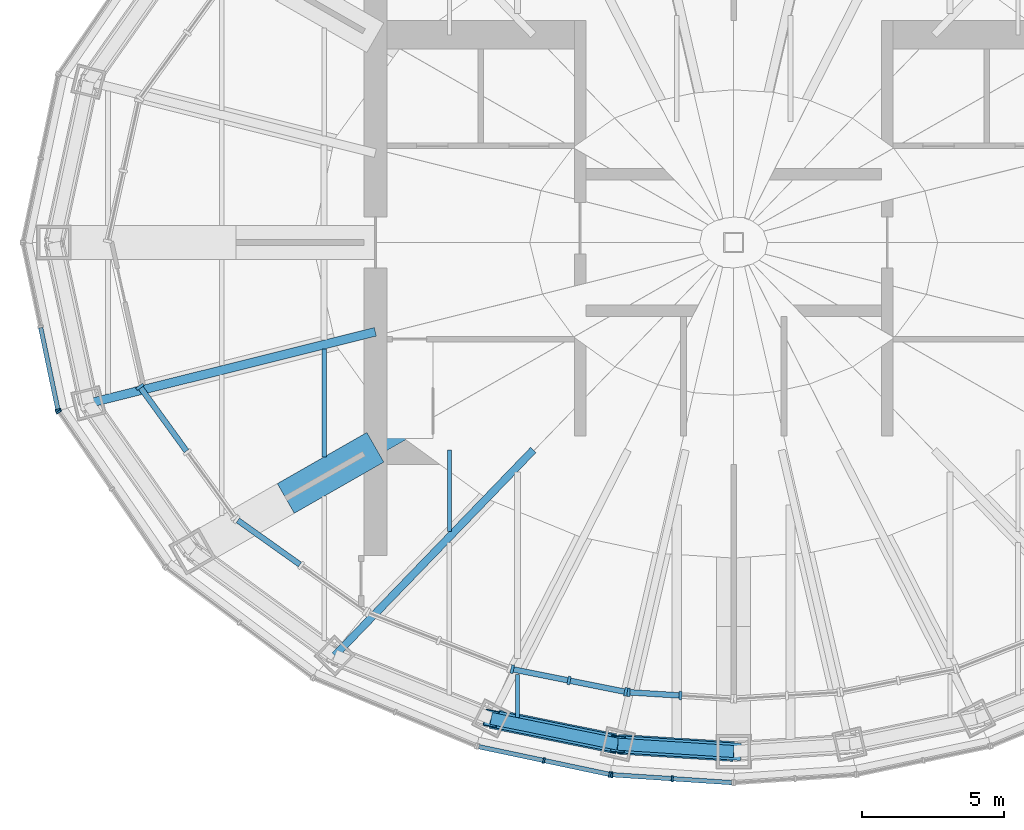
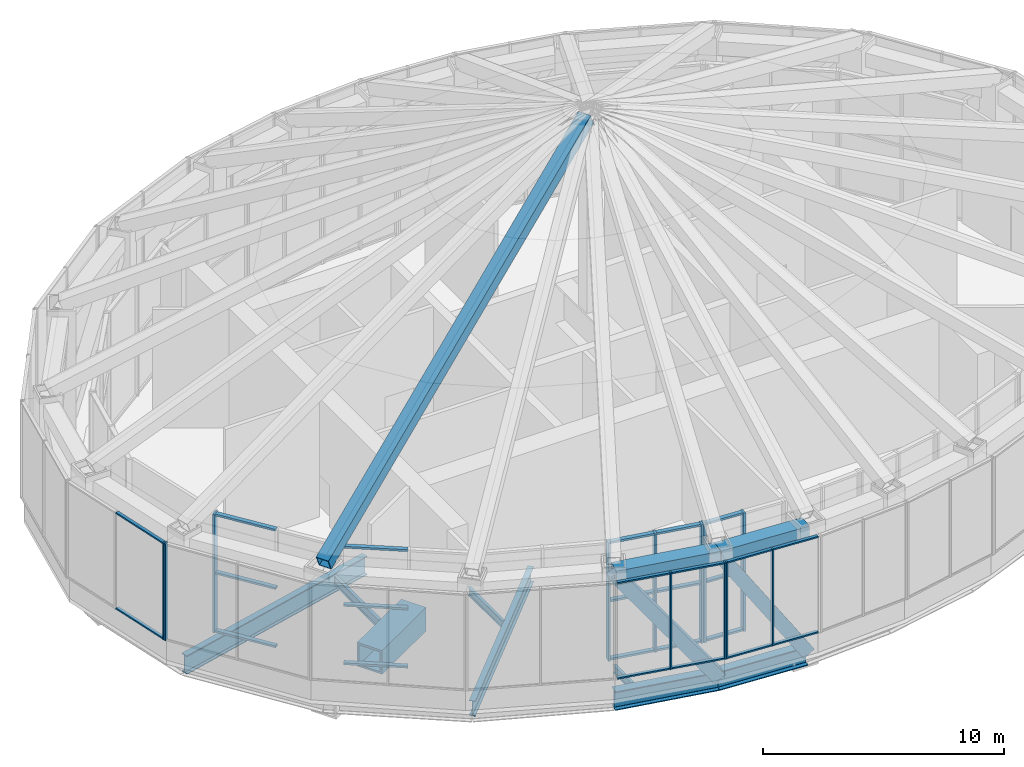
# One storey, part 3 of 21: 40 members, 10 beams, 8 elements without a shape of their own.
"""IFC4 building model written with IfcOpenShell, lengths in metres."""

from ifc_helpers import new_model, si_unit, direction, frame, origin, origin_2d, place, context, subcontext, project, spatial, rectangle, hollow_rectangle, i_section, extrude, material, material_profile, profile_set, type_object, element, aggregate, save


model = new_model("IFC4")

# Units and contexts
model_context = context("Model", 3, precision=1e-05, world=origin(), true_north=direction((0.0, 1.0)))
body_context = subcontext(model_context, "Body", "Model", "MODEL_VIEW")
ifc_project = project(units=[si_unit("LENGTHUNIT", "METRE"), si_unit("AREAUNIT", "SQUARE_METRE"), si_unit("VOLUMEUNIT", "CUBIC_METRE"), si_unit("PLANEANGLEUNIT", "RADIAN"), si_unit("MASSUNIT", "GRAM", prefix="KILO")], contexts=[model_context])

# Site, building, storey
site_placement = place(None, origin())
site = spatial("IfcSite", under=ifc_project, at=site_placement, CompositionType="ELEMENT")
building_placement = place(site_placement, origin())
building = spatial("IfcBuilding", under=site, at=building_placement, Name="Lantaw Convention Tower", CompositionType="ELEMENT")
storey_placement = place(building_placement, frame((0.0, 0.0, 290.39990234375)))
storey = spatial("IfcBuildingStorey", under=building, at=storey_placement, Name="L67", CompositionType="ELEMENT", Elevation=290.39990234375)

# Beams
ifc_material_1 = material(Name="Steel ASTM A992", Category="steel")
ifc_material_profile_1 = material_profile(ifc_material_1, i_section(OverallWidth=0.424072265625, OverallDepth=0.947509765625, WebThickness=0.02392578125, FlangeThickness=0.042724609375, FilletRadius=0.012451171875, at=origin_2d()), Name="W36X302")
ifc_profile_set_1 = profile_set([ifc_material_profile_1], Name="Steel ASTM A992")
beam_type_1 = type_object("IfcBeamType", Name="Beam BC W36X302", PredefinedType="SPANDREL", material=ifc_profile_set_1)
beam_1_placement = place(storey_placement, frame((-8.5283203125, -16.73779296875, -0.673583984375), z_axis=(0.980006466425, -0.198965639657, 0.0), x_axis=(0.198965639657, 0.980006466425, 0.0)))
element("IfcBeam", 1, at=beam_1_placement, inside=storey, type_object=beam_type_1, Name="Belt truss chord 17", PredefinedType="SPANDREL", context=body_context, shape_type="SweptSolid", body=[
    extrude(i_section(OverallWidth=0.424072265625, OverallDepth=0.947509765625, WebThickness=0.02392578125, FlangeThickness=0.042724609375, FilletRadius=0.012451171875, at=origin_2d()), origin(), (0.0, 0.0, 1.0), 4.546142578125),
])
beam_2_placement = place(storey_placement, frame((-4.072998046875, -17.642333984375, -0.673583984375), z_axis=(0.998006453216, -0.063111958769, 0.0), x_axis=(0.063111958769, 0.998006453216, 0.0)))
element("IfcBeam", 2, at=beam_2_placement, inside=storey, type_object=beam_type_1, Name="Belt truss chord 18", PredefinedType="SPANDREL", context=body_context, shape_type="SweptSolid", body=[
    extrude(i_section(OverallWidth=0.424072265625, OverallDepth=0.947509765625, WebThickness=0.02392578125, FlangeThickness=0.042724609375, FilletRadius=0.012451171875, at=origin_2d()), origin(), (0.0, 0.0, 1.0), 4.0810546875),
])
ifc_material_profile_2 = material_profile(ifc_material_1, i_section(OverallWidth=0.2666015625, OverallDepth=0.76953125, WebThickness=0.015625, FlangeThickness=0.025390625, FilletRadius=0.0126953125, at=origin_2d()), Name="W30X132")
ifc_profile_set_2 = profile_set([ifc_material_profile_2], Name="Steel ASTM A992")
beam_type_2 = type_object("IfcBeamType", Name="Beam G W30X132", PredefinedType="BEAM", material=ifc_profile_set_2)
beam_3_placement = place(storey_placement, frame((-7.049560546875, -7.300048828125, -0.584716796875), z_axis=(-0.694652631285, -0.71934534255, 0.0), x_axis=(0.71934534255, -0.694652631285, 0.0)))
element("IfcBeam", 3, at=beam_3_placement, inside=storey, type_object=beam_type_2, Name="Floor girder on ray 16", PredefinedType="BEAM", context=body_context, shape_type="SweptSolid", body=[
    extrude(i_section(OverallWidth=0.2666015625, OverallDepth=0.76953125, WebThickness=0.015625, FlangeThickness=0.025390625, FilletRadius=0.0126953125, at=origin_2d()), origin(), (0.0, 0.0, 1.0), 10.04541015625),
])
ifc_material_profile_3 = material_profile(ifc_material_1, i_section(OverallWidth=0.307373046875, OverallDepth=0.9423828125, WebThickness=0.022216796875, FlangeThickness=0.039794921875, FilletRadius=0.0126953125, at=origin_2d()), Name="W36X232")
ifc_profile_set_3 = profile_set([ifc_material_profile_3], Name="Steel ASTM A992")
beam_type_3 = type_object("IfcBeamType", Name="Beam G W36X232", PredefinedType="BEAM", material=ifc_profile_set_3)
beam_4_placement = place(storey_placement, frame((-12.60009765625, -3.1416015625, -0.671142578125), z_axis=(-0.97029702597, -0.241916682751, 0.0), x_axis=(0.241916682751, -0.97029702597, 0.0)))
element("IfcBeam", 4, at=beam_4_placement, inside=storey, type_object=beam_type_3, Name="Floor girder on ray 14", PredefinedType="BEAM", context=body_context, shape_type="SweptSolid", body=[
    extrude(i_section(OverallWidth=0.307373046875, OverallDepth=0.9423828125, WebThickness=0.022216796875, FlangeThickness=0.039794921875, FilletRadius=0.0126953125, at=origin_2d()), origin(), (0.0, 0.0, 1.0), 10.395751953125),
])
ifc_material_profile_4 = material_profile(ifc_material_1, i_section(OverallWidth=0.140380859375, OverallDepth=0.40380859375, WebThickness=0.007080078125, FlangeThickness=0.01123046875, FilletRadius=0.01025390625, at=origin_2d()), Name="W16X31")
ifc_profile_set_4 = profile_set([ifc_material_profile_4], Name="Steel ASTM A992")
beam_type_4 = type_object("IfcBeamType", Name="Beam J W16X31", PredefinedType="JOIST", material=ifc_profile_set_4)
beam_5_placement = place(storey_placement, frame((-10.0, -10.163330078125, -0.40185546875), z_axis=(0.0, 1.0, 0.0), x_axis=(-1.0, 0.0, 0.0)))
element("IfcBeam", 5, at=beam_5_placement, inside=storey, type_object=beam_type_4, Name="Floor joist", PredefinedType="JOIST", context=body_context, shape_type="SweptSolid", body=[
    extrude(i_section(OverallWidth=0.140380859375, OverallDepth=0.40380859375, WebThickness=0.007080078125, FlangeThickness=0.01123046875, FilletRadius=0.01025390625, at=origin_2d()), origin(), (0.0, 0.0, 1.0), 2.86328125),
])
beam_6_placement = place(storey_placement, frame((-7.60009765625, -16.7099609375, -0.40185546875), z_axis=(0.0, 1.0, 0.0), x_axis=(-1.0, 0.0, 0.0)))
element("IfcBeam", 6, at=beam_6_placement, inside=storey, type_object=beam_type_4, Name="Floor joist", PredefinedType="JOIST", context=body_context, shape_type="SweptSolid", body=[
    extrude(i_section(OverallWidth=0.140380859375, OverallDepth=0.40380859375, WebThickness=0.007080078125, FlangeThickness=0.01123046875, FilletRadius=0.01025390625, at=origin_2d()), origin(), (0.0, 0.0, 1.0), 1.514404296875),
])
ifc_material_profile_5 = material_profile(ifc_material_1, i_section(OverallWidth=0.15234375, OverallDepth=0.449462890625, WebThickness=0.007568359375, FlangeThickness=0.0107421875, FilletRadius=0.01025390625, at=origin_2d()), Name="W18X35")
ifc_profile_set_5 = profile_set([ifc_material_profile_5], Name="Steel ASTM A992")
beam_type_5 = type_object("IfcBeamType", Name="Beam J W18X35", PredefinedType="JOIST", material=ifc_profile_set_5)
beam_7_placement = place(storey_placement, frame((-14.39990234375, -7.53759765625, -0.4248046875), z_axis=(0.0, 1.0, 0.0), x_axis=(-1.0, 0.0, 0.0)))
element("IfcBeam", 7, at=beam_7_placement, inside=storey, type_object=beam_type_5, Name="Floor joist", PredefinedType="JOIST", context=body_context, shape_type="SweptSolid", body=[
    extrude(i_section(OverallWidth=0.15234375, OverallDepth=0.449462890625, WebThickness=0.007568359375, FlangeThickness=0.0107421875, FilletRadius=0.01025390625, at=origin_2d()), origin(), (0.0, 0.0, 1.0), 3.788818359375),
])
ifc_material_2 = material(Name="Steel EN 10025-3 S460N", Category="steel")
ifc_material_profile_6 = material_profile(ifc_material_2, hollow_rectangle(XDim=1.199951171875, YDim=1.199951171875, WallThickness=0.10009765625, at=origin_2d()), Name="BOX1200X100")
ifc_profile_set_6 = profile_set([ifc_material_profile_6], Name="Steel EN 10025-3 S460N")
beam_type_6 = type_object("IfcBeamType", Name="Beam OC BOX1200X100", PredefinedType="BEAM", material=ifc_profile_set_6)
beam_8_placement = place(storey_placement, frame((-12.60009765625, -7.199951171875, -0.7998046875), z_axis=(-0.868230718294, -0.496160679428, 0.0), x_axis=(0.496160679428, -0.868230718294, 0.0)))
element("IfcBeam", 8, at=beam_8_placement, inside=storey, type_object=beam_type_6, Name="Outrigger chord on ray 15", PredefinedType="BEAM", context=body_context, shape_type="SweptSolid", body=[
    extrude(hollow_rectangle(XDim=1.199951171875, YDim=1.199951171875, WallThickness=0.10009765625, at=origin_2d()), origin(), (0.0, 0.0, 1.0), 3.6279296875),
])
ifc_material_3 = material(Name="Steel ASTM A572 Grade 50", Category="steel")
ifc_material_profile_7 = material_profile(ifc_material_3, hollow_rectangle(XDim=0.699951171875, YDim=0.699951171875, WallThickness=0.0400390625, at=origin_2d()), Name="BOX700X40")
ifc_profile_set_7 = profile_set([ifc_material_profile_7], Name="Steel ASTM A572 Grade 50")
beam_type_7 = type_object("IfcBeamType", Name="Beam crown ring BOX700X40", PredefinedType="SPANDREL", material=ifc_profile_set_7)
beam_9_placement = place(storey_placement, frame((-8.5283203125, -16.73779296875, 5.650146484375), z_axis=(0.980006466425, -0.198965639657, 0.0), x_axis=(0.198965639657, 0.980006466425, 0.0)))
element("IfcBeam", 9, at=beam_9_placement, inside=storey, type_object=beam_type_7, Name="Crown ring beam", PredefinedType="SPANDREL", context=body_context, shape_type="SweptSolid", body=[
    extrude(hollow_rectangle(XDim=0.699951171875, YDim=0.699951171875, WallThickness=0.0400390625, at=origin_2d()), origin(), (0.0, 0.0, 1.0), 4.546142578125),
])
beam_10_placement = place(storey_placement, frame((-4.072998046875, -17.642333984375, 5.650146484375), z_axis=(0.998006453216, -0.063111958769, 0.0), x_axis=(0.063111958769, 0.998006453216, 0.0)))
element("IfcBeam", 10, at=beam_10_placement, inside=storey, type_object=beam_type_7, Name="Crown ring beam", PredefinedType="SPANDREL", context=body_context, shape_type="SweptSolid", body=[
    extrude(hollow_rectangle(XDim=0.699951171875, YDim=0.699951171875, WallThickness=0.0400390625, at=origin_2d()), origin(), (0.0, 0.0, 1.0), 4.0810546875),
])

# Curtain wall, member
ifc_material_4 = material(Name="Aluminium framed curtain wall", Category="aluminium")
curtain_wall_type_1 = type_object("IfcCurtainWallType", Name="LANTERN glazing curtain wall, pale aluminium", PredefinedType="USERDEFINED", material=ifc_material_4)
curtain_wall_1_placement = place(storey_placement, origin())
curtain_wall_1 = element("IfcCurtainWall", 11, at=curtain_wall_1_placement, inside=storey, type_object=curtain_wall_type_1, Name="LANTERN glazing curtain wall, pale aluminium L67", ObjectType="LANTERN GLAZING", PredefinedType="USERDEFINED")
ifc_material_5 = material(Name="Aluminium 6063-T6", Category="aluminium")
ifc_material_profile_8 = material_profile(ifc_material_5, rectangle(XDim=0.300048828125, YDim=0.10009765625, at=origin_2d()), Name="CW-LN mullion 100x300")
ifc_profile_set_8 = profile_set([ifc_material_profile_8], Name="Aluminium 6063-T6")
member_type_1 = type_object("IfcMemberType", Name="CW-LN mullion 100x300", PredefinedType="MULLION", material=ifc_profile_set_8)
member_1_placement = place(storey_placement, frame((-20.87939453125, -5.076171875, 0.0), z_axis=(0.0, 0.0, 1.0), x_axis=(0.809741800193, 0.586786346995, 0.0)))
member_1 = element("IfcMember", 12, at=member_1_placement, type_object=member_type_1, Name="CW-LN mullion 1", PredefinedType="MULLION", context=body_context, shape_type="SweptSolid", body=[
    extrude(rectangle(XDim=0.300048828125, YDim=0.10009765625, at=origin_2d()), origin(), (0.0, 0.0, 1.0), 6.0),
])

# Curtain wall, members
curtain_wall_2_placement = place(storey_placement, origin())
curtain_wall_2 = element("IfcCurtainWall", 13, at=curtain_wall_2_placement, inside=storey, type_object=curtain_wall_type_1, Name="LANTERN glazing curtain wall, pale aluminium L67", ObjectType="LANTERN GLAZING", PredefinedType="USERDEFINED")
member_2_placement = place(storey_placement, frame((-7.787353515625, -15.004150390625, 0.0), z_axis=(0.0, 0.0, 1.0), x_axis=(0.196367228305, 0.980530423622, 0.0)))
member_2 = element("IfcMember", 14, at=member_2_placement, type_object=member_type_1, Name="CW-LN mullion 1", PredefinedType="MULLION", context=body_context, shape_type="SweptSolid", body=[
    extrude(rectangle(XDim=0.300048828125, YDim=0.10009765625, at=origin_2d()), origin(), (0.0, 0.0, 1.0), 6.0),
])
member_3_placement = place(storey_placement, frame((-5.791015625, -15.404052734375, 0.0), z_axis=(0.0, 0.0, 1.0), x_axis=(0.196367228305, 0.980530423622, 0.0)))
member_3 = element("IfcMember", 15, at=member_3_placement, type_object=member_type_1, Name="CW-LN mullion 2", PredefinedType="MULLION", context=body_context, shape_type="SweptSolid", body=[
    extrude(rectangle(XDim=0.300048828125, YDim=0.10009765625, at=origin_2d()), origin(), (0.0, 0.0, 1.0), 6.0),
])
member_4_placement = place(storey_placement, frame((-3.79443359375, -15.8037109375, 0.0), z_axis=(0.0, 0.0, 1.0), x_axis=(0.196367228305, 0.980530423622, 0.0)))
member_4 = element("IfcMember", 16, at=member_4_placement, type_object=member_type_1, Name="CW-LN mullion 3", PredefinedType="MULLION", context=body_context, shape_type="SweptSolid", body=[
    extrude(rectangle(XDim=0.300048828125, YDim=0.10009765625, at=origin_2d()), origin(), (0.0, 0.0, 1.0), 6.0),
])

curtain_wall_3_placement = place(storey_placement, origin())
curtain_wall_3 = element("IfcCurtainWall", 17, at=curtain_wall_3_placement, inside=storey, type_object=curtain_wall_type_1, Name="LANTERN glazing curtain wall, pale aluminium L67", ObjectType="LANTERN GLAZING", PredefinedType="USERDEFINED")
member_5_placement = place(storey_placement, frame((-3.6953125, -15.816650390625, 0.0), z_axis=(0.0, 0.0, 1.0), x_axis=(0.062488626454, 0.998045676091, 0.0)))
member_5 = element("IfcMember", 18, at=member_5_placement, type_object=member_type_1, Name="CW-LN mullion 1", PredefinedType="MULLION", context=body_context, shape_type="SweptSolid", body=[
    extrude(rectangle(XDim=0.300048828125, YDim=0.10009765625, at=origin_2d()), origin(), (0.0, 0.0, 1.0), 6.0),
])
member_6_placement = place(storey_placement, frame((-1.87255859375, -15.930908203125, 0.0), z_axis=(0.0, 0.0, 1.0), x_axis=(0.062488626454, 0.998045676091, 0.0)))
member_6 = element("IfcMember", 19, at=member_6_placement, type_object=member_type_1, Name="CW-LN mullion 2", PredefinedType="MULLION", context=body_context, shape_type="SweptSolid", body=[
    extrude(rectangle(XDim=0.300048828125, YDim=0.10009765625, at=origin_2d()), origin(), (0.0, 0.0, 1.0), 6.0),
])

# Member
ifc_material_profile_9 = material_profile(ifc_material_5, rectangle(XDim=0.199951171875, YDim=0.10009765625, at=origin_2d()), Name="CW-LN transom 100x200")
ifc_profile_set_9 = profile_set([ifc_material_profile_9], Name="Aluminium 6063-T6")
member_type_2 = type_object("IfcMemberType", Name="CW-LN transom 100x200", PredefinedType="USERDEFINED", material=ifc_profile_set_9)
member_7_placement = place(storey_placement, frame((-20.85009765625, -5.11669921875, 0.050048828125), z_axis=(0.586798118951, -0.809733269414, 0.0), x_axis=(0.809733269414, 0.586798118951, 0.0)))
member_7 = element("IfcMember", 20, at=member_7_placement, type_object=member_type_2, Name="CW-LN transom 1.1", ObjectType="TRANSOM", PredefinedType="USERDEFINED", context=body_context, shape_type="SweptSolid", body=[
    extrude(rectangle(XDim=0.199951171875, YDim=0.10009765625, at=origin_2d()), origin(), (0.0, 0.0, 1.0), 2.739013671875),
])

member_8_placement = place(storey_placement, frame((-20.85009765625, -5.11669921875, 3.0), z_axis=(0.586798118951, -0.809733269414, 0.0), x_axis=(0.809733269414, 0.586798118951, 0.0)))
member_8 = element("IfcMember", 21, at=member_8_placement, type_object=member_type_2, Name="CW-LN transom 1.2", ObjectType="TRANSOM", PredefinedType="USERDEFINED", context=body_context, shape_type="SweptSolid", body=[
    extrude(rectangle(XDim=0.199951171875, YDim=0.10009765625, at=origin_2d()), origin(), (0.0, 0.0, 1.0), 2.739013671875),
])

member_9_placement = place(storey_placement, frame((-20.85009765625, -5.11669921875, 5.9501953125), z_axis=(0.586798118951, -0.809733269414, 0.0), x_axis=(0.809733269414, 0.586798118951, 0.0)))
member_9 = element("IfcMember", 22, at=member_9_placement, type_object=member_type_2, Name="CW-LN transom 1.3", ObjectType="TRANSOM", PredefinedType="USERDEFINED", context=body_context, shape_type="SweptSolid", body=[
    extrude(rectangle(XDim=0.199951171875, YDim=0.10009765625, at=origin_2d()), origin(), (0.0, 0.0, 1.0), 2.739013671875),
])

aggregate(curtain_wall_1, [member_1, member_7, member_8, member_9])

# Curtain wall, members
curtain_wall_4_placement = place(storey_placement, origin())
curtain_wall_4 = element("IfcCurtainWall", 23, at=curtain_wall_4_placement, inside=storey, type_object=curtain_wall_type_1, Name="LANTERN glazing curtain wall, pale aluminium L67", ObjectType="LANTERN GLAZING", PredefinedType="USERDEFINED")
member_10_placement = place(storey_placement, frame((-17.43701171875, -9.77197265625, 0.050048828125), z_axis=(0.814809043546, -0.579729439098, 0.0), x_axis=(0.579729439098, 0.814809043546, 0.0)))
member_10 = element("IfcMember", 24, at=member_10_placement, type_object=member_type_2, Name="CW-LN transom 1.1", ObjectType="TRANSOM", PredefinedType="USERDEFINED", context=body_context, shape_type="SweptSolid", body=[
    extrude(rectangle(XDim=0.199951171875, YDim=0.10009765625, at=origin_2d()), origin(), (0.0, 0.0, 1.0), 2.680419921875),
])
member_11_placement = place(storey_placement, frame((-17.43701171875, -9.77197265625, 3.0), z_axis=(0.814809043546, -0.579729439098, 0.0), x_axis=(0.579729439098, 0.814809043546, 0.0)))
member_11 = element("IfcMember", 25, at=member_11_placement, type_object=member_type_2, Name="CW-LN transom 1.2", ObjectType="TRANSOM", PredefinedType="USERDEFINED", context=body_context, shape_type="SweptSolid", body=[
    extrude(rectangle(XDim=0.199951171875, YDim=0.10009765625, at=origin_2d()), origin(), (0.0, 0.0, 1.0), 2.680419921875),
])
member_12_placement = place(storey_placement, frame((-17.43701171875, -9.77197265625, 5.9501953125), z_axis=(0.814809043546, -0.579729439098, 0.0), x_axis=(0.579729439098, 0.814809043546, 0.0)))
member_12 = element("IfcMember", 26, at=member_12_placement, type_object=member_type_2, Name="CW-LN transom 1.3", ObjectType="TRANSOM", PredefinedType="USERDEFINED", context=body_context, shape_type="SweptSolid", body=[
    extrude(rectangle(XDim=0.199951171875, YDim=0.10009765625, at=origin_2d()), origin(), (0.0, 0.0, 1.0), 2.680419921875),
])
aggregate(curtain_wall_4, [member_10, member_11, member_12])

# Member
member_13_placement = place(storey_placement, frame((-7.738525390625, -15.013916015625, 0.050048828125), z_axis=(0.980541861959, -0.196310104034, 0.0), x_axis=(0.196310104034, 0.980541861959, 0.0)))
member_13 = element("IfcMember", 27, at=member_13_placement, type_object=member_type_2, Name="CW-LN transom 1.1", ObjectType="TRANSOM", PredefinedType="USERDEFINED", context=body_context, shape_type="SweptSolid", body=[
    extrude(rectangle(XDim=0.199951171875, YDim=0.10009765625, at=origin_2d()), origin(), (0.0, 0.0, 1.0), 1.936279296875),
])

member_14_placement = place(storey_placement, frame((-7.738525390625, -15.013916015625, 3.0), z_axis=(0.980541861959, -0.196310104034, 0.0), x_axis=(0.196310104034, 0.980541861959, 0.0)))
member_14 = element("IfcMember", 28, at=member_14_placement, type_object=member_type_2, Name="CW-LN transom 1.2", ObjectType="TRANSOM", PredefinedType="USERDEFINED", context=body_context, shape_type="SweptSolid", body=[
    extrude(rectangle(XDim=0.199951171875, YDim=0.10009765625, at=origin_2d()), origin(), (0.0, 0.0, 1.0), 1.936279296875),
])

member_15_placement = place(storey_placement, frame((-7.738525390625, -15.013916015625, 5.9501953125), z_axis=(0.980541861959, -0.196310104034, 0.0), x_axis=(0.196310104034, 0.980541861959, 0.0)))
member_15 = element("IfcMember", 29, at=member_15_placement, type_object=member_type_2, Name="CW-LN transom 1.3", ObjectType="TRANSOM", PredefinedType="USERDEFINED", context=body_context, shape_type="SweptSolid", body=[
    extrude(rectangle(XDim=0.199951171875, YDim=0.10009765625, at=origin_2d()), origin(), (0.0, 0.0, 1.0), 1.936279296875),
])

member_16_placement = place(storey_placement, frame((-5.741943359375, -15.413818359375, 0.050048828125), z_axis=(0.980541861959, -0.196310104034, 0.0), x_axis=(0.196310104034, 0.980541861959, 0.0)))
member_16 = element("IfcMember", 30, at=member_16_placement, type_object=member_type_2, Name="CW-LN transom 2.1", ObjectType="TRANSOM", PredefinedType="USERDEFINED", context=body_context, shape_type="SweptSolid", body=[
    extrude(rectangle(XDim=0.199951171875, YDim=0.10009765625, at=origin_2d()), origin(), (0.0, 0.0, 1.0), 1.936279296875),
])

member_17_placement = place(storey_placement, frame((-5.741943359375, -15.413818359375, 3.0), z_axis=(0.980541861959, -0.196310104034, 0.0), x_axis=(0.196310104034, 0.980541861959, 0.0)))
member_17 = element("IfcMember", 31, at=member_17_placement, type_object=member_type_2, Name="CW-LN transom 2.2", ObjectType="TRANSOM", PredefinedType="USERDEFINED", context=body_context, shape_type="SweptSolid", body=[
    extrude(rectangle(XDim=0.199951171875, YDim=0.10009765625, at=origin_2d()), origin(), (0.0, 0.0, 1.0), 1.936279296875),
])

member_18_placement = place(storey_placement, frame((-5.741943359375, -15.413818359375, 5.9501953125), z_axis=(0.980541861959, -0.196310104034, 0.0), x_axis=(0.196310104034, 0.980541861959, 0.0)))
member_18 = element("IfcMember", 32, at=member_18_placement, type_object=member_type_2, Name="CW-LN transom 2.3", ObjectType="TRANSOM", PredefinedType="USERDEFINED", context=body_context, shape_type="SweptSolid", body=[
    extrude(rectangle(XDim=0.199951171875, YDim=0.10009765625, at=origin_2d()), origin(), (0.0, 0.0, 1.0), 1.936279296875),
])

aggregate(curtain_wall_2, [member_2, member_3, member_4, member_13, member_14, member_15, member_16, member_17, member_18])

member_19_placement = place(storey_placement, frame((-3.6455078125, -15.81982421875, 0.050048828125), z_axis=(0.9980443153, -0.062510356719, 0.0), x_axis=(0.062510356719, 0.9980443153, 0.0)))
member_19 = element("IfcMember", 33, at=member_19_placement, type_object=member_type_2, Name="CW-LN transom 1.1", ObjectType="TRANSOM", PredefinedType="USERDEFINED", context=body_context, shape_type="SweptSolid", body=[
    extrude(rectangle(XDim=0.199951171875, YDim=0.10009765625, at=origin_2d()), origin(), (0.0, 0.0, 1.0), 1.726318359375),
])

member_20_placement = place(storey_placement, frame((-3.6455078125, -15.81982421875, 3.0), z_axis=(0.9980443153, -0.062510356719, 0.0), x_axis=(0.062510356719, 0.9980443153, 0.0)))
member_20 = element("IfcMember", 34, at=member_20_placement, type_object=member_type_2, Name="CW-LN transom 1.2", ObjectType="TRANSOM", PredefinedType="USERDEFINED", context=body_context, shape_type="SweptSolid", body=[
    extrude(rectangle(XDim=0.199951171875, YDim=0.10009765625, at=origin_2d()), origin(), (0.0, 0.0, 1.0), 1.726318359375),
])

member_21_placement = place(storey_placement, frame((-3.6455078125, -15.81982421875, 5.9501953125), z_axis=(0.9980443153, -0.062510356719, 0.0), x_axis=(0.062510356719, 0.9980443153, 0.0)))
member_21 = element("IfcMember", 35, at=member_21_placement, type_object=member_type_2, Name="CW-LN transom 1.3", ObjectType="TRANSOM", PredefinedType="USERDEFINED", context=body_context, shape_type="SweptSolid", body=[
    extrude(rectangle(XDim=0.199951171875, YDim=0.10009765625, at=origin_2d()), origin(), (0.0, 0.0, 1.0), 1.726318359375),
])

aggregate(curtain_wall_3, [member_5, member_6, member_19, member_20, member_21])

# Curtain wall, member
curtain_wall_type_2 = type_object("IfcCurtainWallType", Name="Plant floor louvre wall, pale aluminium", PredefinedType="USERDEFINED", material=ifc_material_4)
curtain_wall_5_placement = place(storey_placement, origin())
curtain_wall_5 = element("IfcCurtainWall", 36, at=curtain_wall_5_placement, inside=storey, type_object=curtain_wall_type_2, Name="Plant floor louvre wall, pale aluminium L67", ObjectType="LOUVRE WALL", PredefinedType="USERDEFINED")
ifc_material_profile_10 = material_profile(ifc_material_5, rectangle(XDim=0.199951171875, YDim=0.070068359375, at=origin_2d()), Name="CW-LV mullion 70x200")
ifc_profile_set_10 = profile_set([ifc_material_profile_10], Name="Aluminium 6063-T6")
member_type_3 = type_object("IfcMemberType", Name="CW-LV mullion 70x200", PredefinedType="MULLION", material=ifc_profile_set_10)
member_22_placement = place(storey_placement, frame((-23.761474609375, -5.888427734375, 1.10009765625), z_axis=(0.0, 0.0, 1.0), x_axis=(0.978591117263, 0.205814054946, 0.0)))
member_22 = element("IfcMember", 37, at=member_22_placement, type_object=member_type_3, Name="CW-LV mullion 3", PredefinedType="MULLION", context=body_context, shape_type="SweptSolid", body=[
    extrude(rectangle(XDim=0.199951171875, YDim=0.070068359375, at=origin_2d()), origin(), (0.0, 0.0, 1.0), 4.89990234375),
])

curtain_wall_6_placement = place(storey_placement, origin())
curtain_wall_6 = element("IfcCurtainWall", 38, at=curtain_wall_6_placement, inside=storey, type_object=curtain_wall_type_2, Name="Plant floor louvre wall, pale aluminium L67", ObjectType="LOUVRE WALL", PredefinedType="USERDEFINED")
member_23_placement = place(storey_placement, frame((-23.734619140625, -5.951416015625, 1.10009765625), z_axis=(0.0, 0.0, 1.0), x_axis=(0.824449977189, 0.565934832921, 0.0)))
member_23 = element("IfcMember", 39, at=member_23_placement, type_object=member_type_3, Name="CW-LV mullion 1", PredefinedType="MULLION", context=body_context, shape_type="SweptSolid", body=[
    extrude(rectangle(XDim=0.199951171875, YDim=0.070068359375, at=origin_2d()), origin(), (0.0, 0.0, 1.0), 4.89990234375),
])
aggregate(curtain_wall_6, [member_23])

# Curtain wall, members
curtain_wall_7_placement = place(storey_placement, origin())
curtain_wall_7 = element("IfcCurtainWall", 40, at=curtain_wall_7_placement, inside=storey, type_object=curtain_wall_type_2, Name="Plant floor louvre wall, pale aluminium L67", ObjectType="LOUVRE WALL", PredefinedType="USERDEFINED")
member_24_placement = place(storey_placement, frame((-6.674072265625, -18.216064453125, 1.10009765625), z_axis=(0.0, 0.0, 1.0), x_axis=(0.207039911975, 0.978332497083, 0.0)))
member_24 = element("IfcMember", 41, at=member_24_placement, type_object=member_type_3, Name="CW-LV mullion 2", PredefinedType="MULLION", context=body_context, shape_type="SweptSolid", body=[
    extrude(rectangle(XDim=0.199951171875, YDim=0.070068359375, at=origin_2d()), origin(), (0.0, 0.0, 1.0), 4.89990234375),
])
member_25_placement = place(storey_placement, frame((-4.354736328125, -18.706787109375, 1.10009765625), z_axis=(0.0, 0.0, 1.0), x_axis=(0.207039911975, 0.978332497083, 0.0)))
member_25 = element("IfcMember", 42, at=member_25_placement, type_object=member_type_3, Name="CW-LV mullion 3", PredefinedType="MULLION", context=body_context, shape_type="SweptSolid", body=[
    extrude(rectangle(XDim=0.199951171875, YDim=0.070068359375, at=origin_2d()), origin(), (0.0, 0.0, 1.0), 4.89990234375),
])

curtain_wall_8_placement = place(storey_placement, origin())
curtain_wall_8 = element("IfcCurtainWall", 43, at=curtain_wall_8_placement, inside=storey, type_object=curtain_wall_type_2, Name="Plant floor louvre wall, pale aluminium L67", ObjectType="LOUVRE WALL", PredefinedType="USERDEFINED")
member_26_placement = place(storey_placement, frame((-4.28564453125, -18.71630859375, 1.10009765625), z_axis=(0.0, 0.0, 1.0), x_axis=(0.066024902273, 0.997817975525, 0.0)))
member_26 = element("IfcMember", 44, at=member_26_placement, type_object=member_type_3, Name="CW-LV mullion 1", PredefinedType="MULLION", context=body_context, shape_type="SweptSolid", body=[
    extrude(rectangle(XDim=0.199951171875, YDim=0.070068359375, at=origin_2d()), origin(), (0.0, 0.0, 1.0), 4.89990234375),
])
member_27_placement = place(storey_placement, frame((-2.16015625, -18.857177734375, 1.10009765625), z_axis=(0.0, 0.0, 1.0), x_axis=(0.066024902273, 0.997817975525, 0.0)))
member_27 = element("IfcMember", 45, at=member_27_placement, type_object=member_type_3, Name="CW-LV mullion 2", PredefinedType="MULLION", context=body_context, shape_type="SweptSolid", body=[
    extrude(rectangle(XDim=0.199951171875, YDim=0.070068359375, at=origin_2d()), origin(), (0.0, 0.0, 1.0), 4.89990234375),
])

# Member
ifc_material_profile_11 = material_profile(ifc_material_5, rectangle(XDim=0.159912109375, YDim=0.070068359375, at=origin_2d()), Name="CW-LV transom 70x160")
ifc_profile_set_11 = profile_set([ifc_material_profile_11], Name="Aluminium 6063-T6")
member_type_4 = type_object("IfcMemberType", Name="CW-LV transom 70x160", PredefinedType="USERDEFINED", material=ifc_profile_set_11)
member_28_placement = place(storey_placement, frame((-24.369873046875, -2.99560546875, 1.135009765625), z_axis=(0.205766173106, -0.978601186391, 0.0), x_axis=(0.978601186391, 0.205766173106, 0.0)))
member_28 = element("IfcMember", 46, at=member_28_placement, type_object=member_type_4, Name="CW-LV transom 2.1", ObjectType="TRANSOM", PredefinedType="USERDEFINED", context=body_context, shape_type="SweptSolid", body=[
    extrude(rectangle(XDim=0.159912109375, YDim=0.070068359375, at=origin_2d()), origin(), (0.0, 0.0, 1.0), 2.921142578125),
])

member_29_placement = place(storey_placement, frame((-24.369873046875, -2.99560546875, 5.965087890625), z_axis=(0.205766173106, -0.978601186391, 0.0), x_axis=(0.978601186391, 0.205766173106, 0.0)))
member_29 = element("IfcMember", 47, at=member_29_placement, type_object=member_type_4, Name="CW-LV transom 2.2", ObjectType="TRANSOM", PredefinedType="USERDEFINED", context=body_context, shape_type="SweptSolid", body=[
    extrude(rectangle(XDim=0.159912109375, YDim=0.070068359375, at=origin_2d()), origin(), (0.0, 0.0, 1.0), 2.921142578125),
])

aggregate(curtain_wall_5, [member_22, member_28, member_29])

member_30_placement = place(storey_placement, frame((-8.959228515625, -17.732421875, 1.135009765625), z_axis=(0.978336479598, -0.207021092375, 0.0), x_axis=(0.207021092375, 0.978336479598, 0.0)))
member_30 = element("IfcMember", 48, at=member_30_placement, type_object=member_type_4, Name="CW-LV transom 1.1", ObjectType="TRANSOM", PredefinedType="USERDEFINED", context=body_context, shape_type="SweptSolid", body=[
    extrude(rectangle(XDim=0.159912109375, YDim=0.070068359375, at=origin_2d()), origin(), (0.0, 0.0, 1.0), 2.30078125),
])

member_31_placement = place(storey_placement, frame((-8.959228515625, -17.732421875, 5.965087890625), z_axis=(0.978336479598, -0.207021092375, 0.0), x_axis=(0.207021092375, 0.978336479598, 0.0)))
member_31 = element("IfcMember", 49, at=member_31_placement, type_object=member_type_4, Name="CW-LV transom 1.2", ObjectType="TRANSOM", PredefinedType="USERDEFINED", context=body_context, shape_type="SweptSolid", body=[
    extrude(rectangle(XDim=0.159912109375, YDim=0.070068359375, at=origin_2d()), origin(), (0.0, 0.0, 1.0), 2.30078125),
])

member_32_placement = place(storey_placement, frame((-6.639892578125, -18.223388671875, 1.135009765625), z_axis=(0.978336479598, -0.207021092375, 0.0), x_axis=(0.207021092375, 0.978336479598, 0.0)))
member_32 = element("IfcMember", 50, at=member_32_placement, type_object=member_type_4, Name="CW-LV transom 2.1", ObjectType="TRANSOM", PredefinedType="USERDEFINED", context=body_context, shape_type="SweptSolid", body=[
    extrude(rectangle(XDim=0.159912109375, YDim=0.070068359375, at=origin_2d()), origin(), (0.0, 0.0, 1.0), 2.30078125),
])

member_33_placement = place(storey_placement, frame((-6.639892578125, -18.223388671875, 5.965087890625), z_axis=(0.978336479598, -0.207021092375, 0.0), x_axis=(0.207021092375, 0.978336479598, 0.0)))
member_33 = element("IfcMember", 51, at=member_33_placement, type_object=member_type_4, Name="CW-LV transom 2.2", ObjectType="TRANSOM", PredefinedType="USERDEFINED", context=body_context, shape_type="SweptSolid", body=[
    extrude(rectangle(XDim=0.159912109375, YDim=0.070068359375, at=origin_2d()), origin(), (0.0, 0.0, 1.0), 2.30078125),
])

aggregate(curtain_wall_7, [member_24, member_25, member_30, member_31, member_32, member_33])

member_34_placement = place(storey_placement, frame((-4.250732421875, -18.71875, 1.135009765625), z_axis=(0.997819110413, -0.066007748753, 0.0), x_axis=(0.066007748753, 0.997819110413, 0.0)))
member_34 = element("IfcMember", 52, at=member_34_placement, type_object=member_type_4, Name="CW-LV transom 1.1", ObjectType="TRANSOM", PredefinedType="USERDEFINED", context=body_context, shape_type="SweptSolid", body=[
    extrude(rectangle(XDim=0.159912109375, YDim=0.070068359375, at=origin_2d()), origin(), (0.0, 0.0, 1.0), 2.06005859375),
])

member_35_placement = place(storey_placement, frame((-4.250732421875, -18.71875, 5.965087890625), z_axis=(0.997819110413, -0.066007748753, 0.0), x_axis=(0.066007748753, 0.997819110413, 0.0)))
member_35 = element("IfcMember", 53, at=member_35_placement, type_object=member_type_4, Name="CW-LV transom 1.2", ObjectType="TRANSOM", PredefinedType="USERDEFINED", context=body_context, shape_type="SweptSolid", body=[
    extrude(rectangle(XDim=0.159912109375, YDim=0.070068359375, at=origin_2d()), origin(), (0.0, 0.0, 1.0), 2.06005859375),
])

member_36_placement = place(storey_placement, frame((-2.125244140625, -18.859375, 1.135009765625), z_axis=(0.997818593988, -0.066015554918, 0.0), x_axis=(0.066015554918, 0.997818593988, 0.0)))
member_36 = element("IfcMember", 54, at=member_36_placement, type_object=member_type_4, Name="CW-LV transom 2.1", ObjectType="TRANSOM", PredefinedType="USERDEFINED", context=body_context, shape_type="SweptSolid", body=[
    extrude(rectangle(XDim=0.159912109375, YDim=0.070068359375, at=origin_2d()), origin(), (0.0, 0.0, 1.0), 2.059814453125),
])

member_37_placement = place(storey_placement, frame((-2.125244140625, -18.859375, 5.965087890625), z_axis=(0.997818593988, -0.066015554918, 0.0), x_axis=(0.066015554918, 0.997818593988, 0.0)))
member_37 = element("IfcMember", 55, at=member_37_placement, type_object=member_type_4, Name="CW-LV transom 2.2", ObjectType="TRANSOM", PredefinedType="USERDEFINED", context=body_context, shape_type="SweptSolid", body=[
    extrude(rectangle(XDim=0.159912109375, YDim=0.070068359375, at=origin_2d()), origin(), (0.0, 0.0, 1.0), 2.059814453125),
])

aggregate(curtain_wall_8, [member_26, member_27, member_34, member_35, member_36, member_37])

# Members
ifc_material_profile_12 = material_profile(ifc_material_3, hollow_rectangle(XDim=0.60009765625, YDim=0.60009765625, WallThickness=0.031982421875, at=origin_2d()), Name="BOX600X32")
ifc_profile_set_12 = profile_set([ifc_material_profile_12], Name="Steel ASTM A572 Grade 50")
member_type_5 = type_object("IfcMemberType", Name="Member CR BOX600X32", PredefinedType="BRACE", material=ifc_profile_set_12)
member_38_placement = place(storey_placement, frame((-4.072998046875, -17.642333984375, -0.505859375), z_axis=(-0.57950592565, 0.117654088144, 0.806430652741), x_axis=(-0.198965639657, -0.980006466425, 0.0)))
element("IfcMember", 56, at=member_38_placement, inside=storey, type_object=member_type_5, Name="Crown ring truss diagonal 17 (upper)", PredefinedType="BRACE", context=body_context, shape_type="SweptSolid", body=[
    extrude(hollow_rectangle(XDim=0.60009765625, YDim=0.60009765625, WallThickness=0.031982421875, at=origin_2d()), origin(), (0.0, 0.0, 1.0), 7.688232421875),
])
member_39_placement = place(storey_placement, frame((0.0, -17.89990234375, -0.505859375), z_axis=(-0.548729002109, 0.034700539305, 0.835279806303), x_axis=(-0.063111958769, -0.998006453216, 0.0)))
element("IfcMember", 57, at=member_39_placement, inside=storey, type_object=member_type_5, Name="Crown ring truss diagonal 18 (upper)", PredefinedType="BRACE", context=body_context, shape_type="SweptSolid", body=[
    extrude(hollow_rectangle(XDim=0.60009765625, YDim=0.60009765625, WallThickness=0.031982421875, at=origin_2d()), origin(), (0.0, 0.0, 1.0), 7.422607421875),
])
ifc_material_profile_13 = material_profile(ifc_material_3, hollow_rectangle(XDim=0.60009765625, YDim=0.60009765625, WallThickness=0.031982421875, at=origin_2d()), Name="BOX600X32")
ifc_profile_set_13 = profile_set([ifc_material_profile_13], Name="Steel ASTM A572 Grade 50")
member_type_6 = type_object("IfcMemberType", Name="Member crown rib BOX600X32", PredefinedType="RAFTER", material=ifc_profile_set_13)
member_40_placement = place(storey_placement, frame((-19.02685546875, -10.87255859375, 6.300048828125), z_axis=(0.794552056754, 0.454031225448, 0.403165816291), x_axis=(-0.496140156478, 0.868242446054, 0.0)))
element("IfcMember", 58, at=member_40_placement, inside=storey, type_object=member_type_6, Name="Crown rib", PredefinedType="RAFTER", context=body_context, shape_type="SweptSolid", body=[
    extrude(hollow_rectangle(XDim=0.60009765625, YDim=0.60009765625, WallThickness=0.031982421875, at=origin_2d()), origin(), (0.0, 0.0, 1.0), 23.5859375),
])

save(model, "model.ifc")
